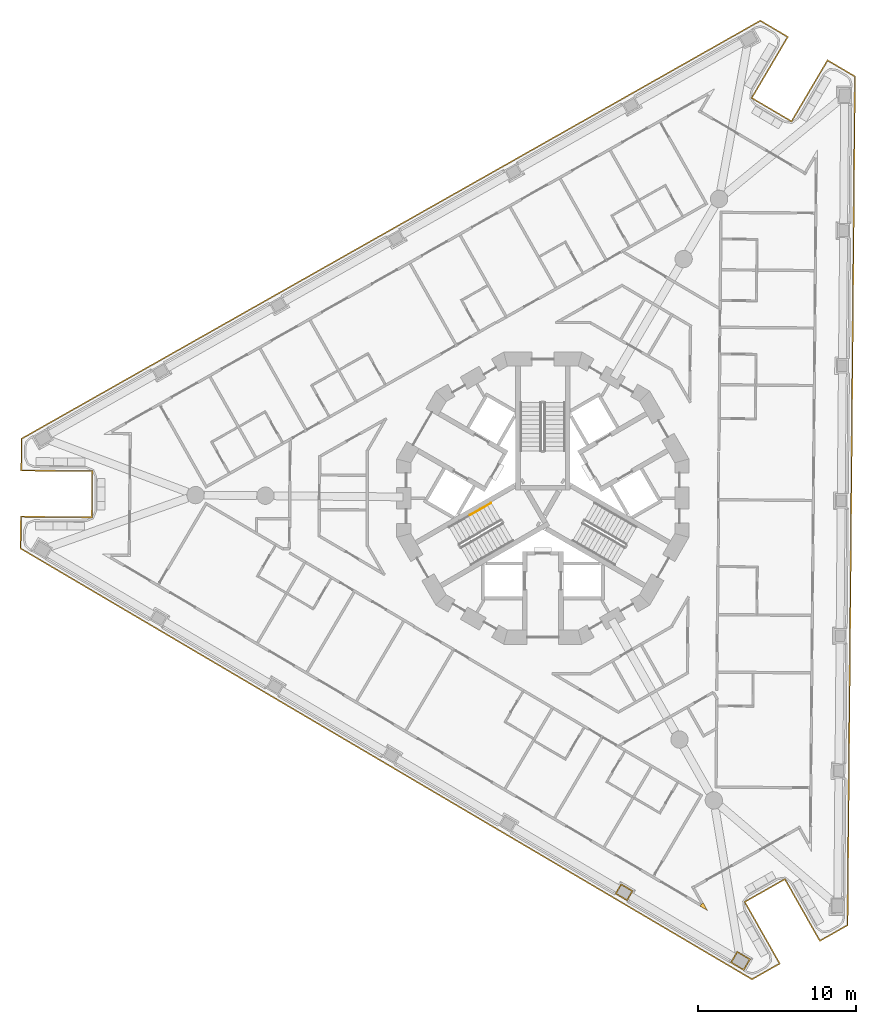
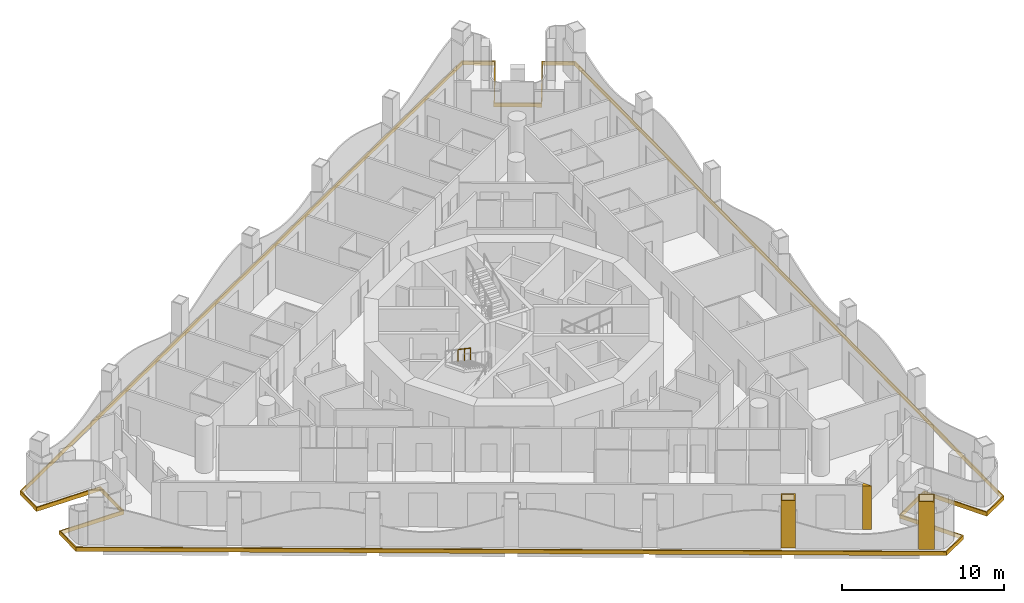
# One storey, part 14 of 18: 4 coverings, 1 railing.
"""IFC4 building model written with IfcOpenShell, lengths in metres."""

from ifc_helpers import new_model, si_unit, direction, frame, origin, origin_2d, place, context, subcontext, project, spatial, polyline, circle, outline, extrude, material, layer, layer_set, type_object, element, save


model = new_model("IFC4")

# Units and contexts
model_context = context("Model", 3, precision=1e-05, world=origin(), true_north=direction((0.0, 1.0)))
body_context = subcontext(model_context, "Body", "Model", "MODEL_VIEW")
ifc_project = project(units=[si_unit("LENGTHUNIT", "METRE"), si_unit("AREAUNIT", "SQUARE_METRE"), si_unit("VOLUMEUNIT", "CUBIC_METRE"), si_unit("PLANEANGLEUNIT", "RADIAN"), si_unit("MASSUNIT", "GRAM", prefix="KILO")], contexts=[model_context])

# Site, building, storey
site_placement = place(None, origin())
site = spatial("IfcSite", under=ifc_project, at=site_placement, CompositionType="ELEMENT")
building_placement = place(site_placement, origin())
building = spatial("IfcBuilding", under=site, at=building_placement, Name="Trine Commons Tower", CompositionType="ELEMENT")
storey_placement = place(building_placement, frame((0.0, 0.0, 175.5)))
storey = spatial("IfcBuildingStorey", under=building, at=storey_placement, Name="L45", CompositionType="ELEMENT", Elevation=175.5)

# Coverings
ifc_material_1 = material(Name="Aluminium-framed insulated wall panel", Category="aluminium")
ifc_layer_1 = layer(ifc_material_1, 0.14990234375)
ifc_layer_set_1 = layer_set([ifc_layer_1], Name="Aluminium-framed insulated wall panel")
covering_type_1 = type_object("IfcCoveringType", Name="Glazing corner post, aluminium", PredefinedType="CLADDING", material=ifc_layer_set_1)
covering_1_placement = place(storey_placement, origin())
element("IfcCovering", 1, at=covering_1_placement, inside=storey, type_object=covering_type_1, Name="Glazing corner post 5-12", PredefinedType="CLADDING", context=body_context, shape_type="SweptSolid", body=[
    extrude(outline(polyline([(89.97265625, 36.6083984375), (90.455078125, 36.32421875), (90.179443359375, 36.811279296875), (90.048828125, 36.737548828125), (89.97265625, 36.6083984375)])), origin(), (0.0, 0.0, 1.0), 3.300048828125),
])
ifc_material_2 = material(Name="Limestone, honed", Category="masonry")
ifc_layer_2 = layer(ifc_material_2, 0.074951171875)
ifc_layer_set_2 = layer_set([ifc_layer_2], Name="Limestone, honed")
covering_type_2 = type_object("IfcCoveringType", Name="Limestone column cladding 75", PredefinedType="CLADDING", material=ifc_layer_set_2)
covering_2_placement = place(storey_placement, origin())
element("IfcCovering", 2, at=covering_2_placement, inside=storey, type_object=covering_type_2, Name="Limestone pier cladding 5-01", PredefinedType="CLADDING", context=body_context, shape_type="SweptSolid", body=[
    extrude(outline(polyline([(92.327392578125, 33.753173828125), (91.89599609375, 33.020751953125), (92.757568359375, 32.51318359375), (93.18896484375, 33.24560546875), (92.327392578125, 33.753173828125)]), holes=[polyline([(92.35400390625, 33.650390625), (91.998779296875, 33.047119140625), (92.731201171875, 32.61572265625), (93.086181640625, 33.218994140625), (92.35400390625, 33.650390625)])]), origin(), (0.0, 0.0, 1.0), 3.60009765625),
])
covering_3_placement = place(storey_placement, origin())
element("IfcCovering", 3, at=covering_3_placement, inside=storey, type_object=covering_type_2, Name="Limestone pier cladding 5-02", PredefinedType="CLADDING", context=body_context, shape_type="SweptSolid", body=[
    extrude(outline(polyline([(84.96044921875, 38.03466796875), (84.57958984375, 37.388427734375), (85.355224609375, 36.931640625), (85.73583984375, 37.577880859375), (84.96044921875, 38.03466796875)]), holes=[polyline([(84.987060546875, 37.931884765625), (84.682373046875, 37.414794921875), (85.32861328125, 37.0341796875), (85.63330078125, 37.55126953125), (84.987060546875, 37.931884765625)])]), origin(), (0.0, 0.0, 1.0), 3.60009765625),
])
ifc_layer_3 = layer(ifc_material_2, 0.074951171875)
ifc_layer_set_3 = layer_set([ifc_layer_3], Name="Limestone, honed")
covering_type_3 = type_object("IfcCoveringType", Name="Limestone spandrel panel 75", PredefinedType="CLADDING", material=ifc_layer_set_3)
covering_4_placement = place(storey_placement, frame((0.0, 0.0, -0.300048828125)))
element("IfcCovering", 4, at=covering_4_placement, inside=storey, type_object=covering_type_3, Name="Limestone spandrel panel 5-01", PredefinedType="CLADDING", context=body_context, shape_type="SweptSolid", body=[
    extrude(outline(polyline([(95.34814453125, 38.26611328125), (97.564208984375, 34.349365234375), (99.376708984375, 35.374755859375), (99.846923828125, 89.282958984375), (98.052734375, 90.33984375), (95.768798828125, 86.46240234375), (93.313232421875, 87.908935546875), (95.59716796875, 91.786376953125), (93.802734375, 92.84326171875), (46.8818359375, 66.296630859375), (46.863525390625, 64.214111328125), (51.363525390625, 64.175048828125), (51.338623046875, 61.3251953125), (46.8388671875, 61.3642578125), (46.820556640625, 59.281982421875), (93.271240234375, 31.92041015625), (95.08349609375, 32.94580078125), (92.86767578125, 36.862548828125), (95.34814453125, 38.26611328125)]), holes=[polyline([(98.079345703125, 90.237060546875), (99.771484375, 89.240234375), (99.302001953125, 35.418701171875), (97.592529296875, 34.45166015625), (95.376708984375, 38.3681640625), (92.765380859375, 36.890869140625), (94.9814453125, 32.974365234375), (93.27197265625, 32.007080078125), (46.89599609375, 59.32470703125), (46.9130859375, 61.288818359375), (51.412841796875, 61.24951171875), (51.439208984375, 64.249267578125), (46.939208984375, 64.28857421875), (46.956298828125, 66.252685546875), (93.802001953125, 92.756591796875), (95.494384765625, 91.759765625), (93.21044921875, 87.88232421875), (95.79541015625, 86.35986328125), (98.079345703125, 90.237060546875)])]), origin(), (0.0, 0.0, 1.0), 0.300048828125),
])

# Railing
ifc_material_3 = material(Name="Stainless steel handrail", Category="steel")
railing_type = type_object("IfcRailingType", Name="Stair handrail, steel 900", PredefinedType="HANDRAIL", material=ifc_material_3)
railing_placement = place(storey_placement, frame((76.72265625, 62.195556640625, 1.949951171875)))
element("IfcRailing", 5, at=railing_placement, inside=storey, type_object=railing_type, Name="L45 ST2B stair handrail 3", PredefinedType="HANDRAIL", context=body_context, shape_type="SweptSolid", body=[
    extrude(circle(Radius=0.02099609375, at=origin_2d()), frame((0.0, 0.0, 0.87890625), z_axis=(-0.76340495495, -0.440743040072, 0.472184759798), x_axis=(0.499992328818, -0.866029832698, 0.0)), (0.0, 0.0, 1.0), 1.7470703125),
    extrude(circle(Radius=0.01513671875, at=origin_2d()), origin(), (0.0, 0.0, 1.0), 0.85791015625),
    extrude(circle(Radius=0.01513671875, at=origin_2d()), frame((-0.6669921875, -0.385009765625, 0.41259765625)), (0.0, 0.0, 1.0), 0.85791015625),
    extrude(circle(Radius=0.01513671875, at=origin_2d()), frame((-1.333740234375, -0.77001953125, 0.824951171875)), (0.0, 0.0, 1.0), 0.85791015625),
])

save(model, "model.ifc")
